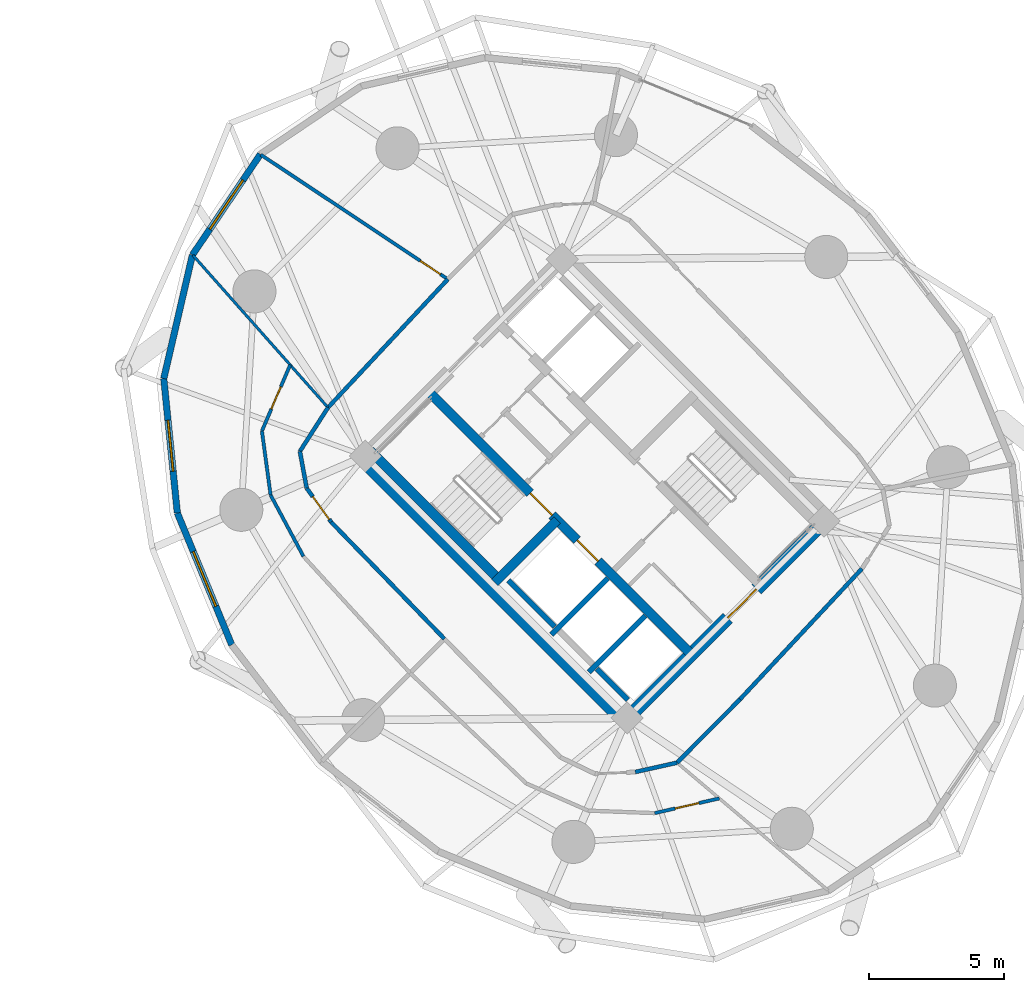
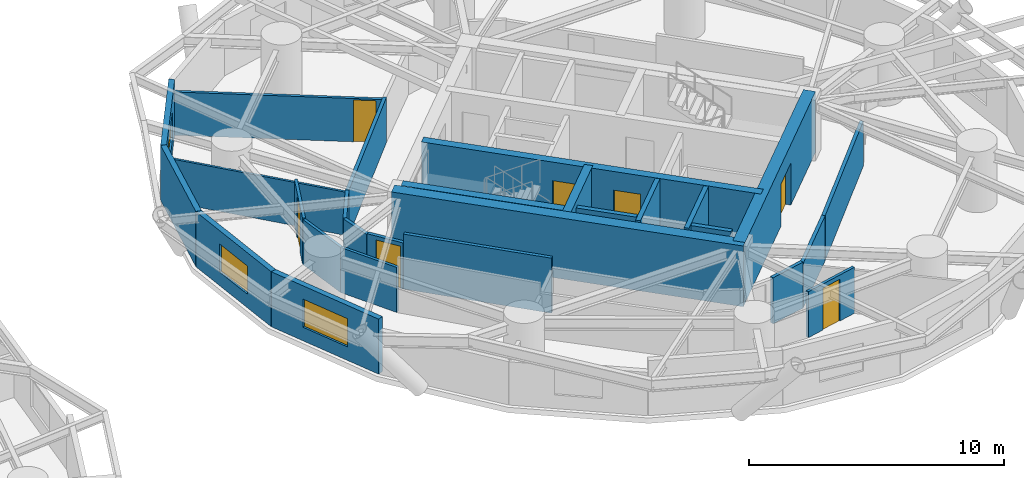
# One storey, part 12 of 17: 27 walls, 7 doors, 3 windows, 10 openings.
"""IFC4 building model written with IfcOpenShell, lengths in metres."""

import ifcopenshell
import ifcopenshell.guid

model = None  # the IFC model being written
_history = None  # IfcOwnerHistory: only IFC2X3 demands one
_inside = {}  # id of a spatial element -> (the spatial element, [elements in it])
_under = {}  # id of a project, library or spatial element -> (it, [spatial elements below it])
_declared = {}  # id of a project -> (the project, [libraries it declares])
_typed = {}  # id of a type object -> (the type object, [elements of that type])
_made_of = {}  # id of a material, layer set ... -> (it, [elements and type objects made of it])


def new_model(schema):
    """Start an empty IFC model of exactly this schema.

    Asked for "IFC4X3", IfcOpenShell would pick the latest addendum, in which some entities
    have other attributes; the version numbers below select the first issue.
    IFC2X3 requires an IfcOwnerHistory on every rooted entity: one is made here for all.
    """
    global model, _history
    if schema == "IFC4X3":
        model = ifcopenshell.file(schema_version=(4, 3, 0, 0))
    else:
        model = ifcopenshell.file(schema=schema)
    _inside.clear()
    _under.clear()
    _declared.clear()
    _typed.clear()
    _made_of.clear()
    _history = None
    if model.schema == "IFC2X3":
        org = make("IfcOrganization", Name="unknown")
        user = make(
            "IfcPersonAndOrganization",
            ThePerson=make("IfcPerson", FamilyName="unknown"),
            TheOrganization=org,
        )
        app = make(
            "IfcApplication",
            ApplicationDeveloper=org,
            Version="unknown",
            ApplicationFullName="unknown",
            ApplicationIdentifier="unknown",
        )
        _history = make(
            "IfcOwnerHistory",
            OwningUser=user,
            OwningApplication=app,
            ChangeAction="ADDED",
            CreationDate=0,
        )
    return model


def make(cls, **values):
    """One entity of the class cls with the attributes given. An attribute that is None is left unset."""
    return model.create_entity(
        cls, **{name: value for name, value in values.items() if value is not None}
    )


def rooted(cls, **values):
    """An entity with a GlobalId (a new one), such as an element, a storey or a relation."""
    return make(cls, GlobalId=ifcopenshell.guid.new(), OwnerHistory=_history, **values)


def si_unit(unit_type, name, prefix=None):
    """IfcSIUnit, for example si_unit("LENGTHUNIT", "METRE", prefix="MILLI")."""
    return make("IfcSIUnit", UnitType=unit_type, Prefix=prefix, Name=name)


def assignment(units):
    """IfcUnitAssignment: the units of a project."""
    return None if units is None else make("IfcUnitAssignment", Units=units)


def point(xyz):
    """IfcCartesianPoint."""
    return None if xyz is None else make("IfcCartesianPoint", Coordinates=xyz)


def direction(xyz):
    """IfcDirection."""
    return None if xyz is None else make("IfcDirection", DirectionRatios=xyz)


def frame(location, z_axis=None, x_axis=None):
    """IfcAxis2Placement3D, a coordinate frame: its origin and axes. An axis left out is left unset."""
    return make(
        "IfcAxis2Placement3D",
        Location=point(location),
        Axis=direction(z_axis),
        RefDirection=direction(x_axis),
    )


def frame_2d(location, x_axis=None):
    """IfcAxis2Placement2D, a coordinate frame in the plane: its origin and x axis."""
    return make(
        "IfcAxis2Placement2D", Location=point(location), RefDirection=direction(x_axis)
    )


def origin():
    """The frame at (0, 0, 0) with its axes left unset."""
    return frame((0.0, 0.0, 0.0))


def place(relative_to, where):
    """IfcLocalPlacement: puts the frame where relative to a parent placement (None: the world)."""
    return make(
        "IfcLocalPlacement", PlacementRelTo=relative_to, RelativePlacement=where
    )


def context(
    kind, dimensions, precision=None, world=None, true_north=None, identifier=None
):
    """IfcGeometricRepresentationContext, for example the 3D "Model" context."""
    return make(
        "IfcGeometricRepresentationContext",
        ContextIdentifier=identifier,
        ContextType=kind,
        CoordinateSpaceDimension=dimensions,
        Precision=precision,
        WorldCoordinateSystem=world,
        TrueNorth=true_north,
    )


def subcontext(parent, identifier, kind, view, scale=None):
    """IfcGeometricRepresentationSubContext, for example "Body" below "Model"."""
    return make(
        "IfcGeometricRepresentationSubContext",
        ContextIdentifier=identifier,
        ContextType=kind,
        ParentContext=parent,
        TargetScale=scale,
        TargetView=view,
    )


def project(units=None, contexts=None):
    """IfcProject with its units and contexts."""
    return rooted(
        "IfcProject",
        Name="project",
        RepresentationContexts=contexts,
        UnitsInContext=assignment(units),
    )


def spatial(cls, under=None, at=None, **own):
    """A site, building, storey or space (cls), placed at a placement, below another one or the project."""
    s = rooted(cls, ObjectPlacement=at, **own)
    if under is not None:
        _under.setdefault(under.id(), (under, []))[1].append(s)
    return s


def profile(cls, at=None, kind="AREA", **sizes):
    """A parametric profile (cls). Its sizes go by their IFC names, for example OverallWidth=200.0."""
    return make(cls, ProfileType=kind, Position=at, **sizes)


def rectangle(**sizes):
    """IfcRectangleProfileDef."""
    return profile("IfcRectangleProfileDef", **sizes)


def extrude(swept, where, along, depth):
    """IfcExtrudedAreaSolid: the profile swept, set in the frame where, extruded along a direction by depth."""
    return make(
        "IfcExtrudedAreaSolid",
        SweptArea=swept,
        Position=where,
        ExtrudedDirection=direction(along),
        Depth=depth,
    )


def shape(context_of_items, identifier, shape_type, items):
    """IfcShapeRepresentation: the items that make up one representation, for example the "Body"."""
    return make(
        "IfcShapeRepresentation",
        ContextOfItems=context_of_items,
        RepresentationIdentifier=identifier,
        RepresentationType=shape_type,
        Items=items,
    )


def source(mapping_origin, context_of_items, identifier, shape_type, items):
    """IfcRepresentationMap: a shape defined once, which mapped items show again and again."""
    return make(
        "IfcRepresentationMap",
        MappingOrigin=mapping_origin,
        MappedRepresentation=shape(context_of_items, identifier, shape_type, items),
    )


def transform(
    local_origin,
    x_axis=None,
    y_axis=None,
    z_axis=None,
    scale=None,
    scale2=None,
    scale3=None,
    uniform=True,
):
    """IfcCartesianTransformationOperator3D, or its non-uniform kind. x_axis, y_axis, z_axis: its Axis1, 2, 3."""
    if uniform:
        return make(
            "IfcCartesianTransformationOperator3D",
            Axis1=direction(x_axis),
            Axis2=direction(y_axis),
            LocalOrigin=point(local_origin),
            Scale=scale,
            Axis3=direction(z_axis),
        )
    return make(
        "IfcCartesianTransformationOperator3DnonUniform",
        Axis1=direction(x_axis),
        Axis2=direction(y_axis),
        LocalOrigin=point(local_origin),
        Scale=scale,
        Axis3=direction(z_axis),
        Scale2=scale2,
        Scale3=scale3,
    )


def mapped(mapping_source, mapping_target):
    """IfcMappedItem: shows the shape of a source again, moved by a transform."""
    return make(
        "IfcMappedItem", MappingSource=mapping_source, MappingTarget=mapping_target
    )


def material(Name=None, Category=None):
    """IfcMaterial."""
    return make("IfcMaterial", Name=Name, Category=Category)


def layer(
    of_material, thickness, ventilated=None, Name=None, Category=None, Priority=None
):
    """IfcMaterialLayer: one layer of a wall or slab, of a material (None: an air gap)."""
    return make(
        "IfcMaterialLayer",
        Material=of_material,
        LayerThickness=thickness,
        IsVentilated=ventilated,
        Name=Name,
        Category=Category,
        Priority=Priority,
    )


def layer_set(layers, Name=None):
    """IfcMaterialLayerSet."""
    return make("IfcMaterialLayerSet", MaterialLayers=layers, LayerSetName=Name)


def made_of(thing, what):
    """Note that an element or type object is made of a material, layer set ...; save() writes the relation."""
    if what is not None:
        _made_of.setdefault(what.id(), (what, []))[1].append(thing)
    return thing


def type_object(cls, material=None, **own):
    """A type object (cls), such as IfcWallType, which elements share."""
    return made_of(rooted(cls, **own), material)


def element(
    cls,
    number,
    at=None,
    inside=None,
    cuts=None,
    type_object=None,
    material=None,
    context=None,
    identifier="Body",
    shape_type=None,
    held_by="IfcProductDefinitionShape",
    body=None,
    shapes=None,
    **own,
):
    """One element of the class cls, such as IfcWall. Its Tag is "e" and its number.

    at: its placement. inside: the storey or other place that contains it. cuts: it is an
    opening in that element (IfcRelVoidsElement). A single representation is given by context,
    identifier, shape_type and body (its items); several are given by shapes. held_by: the class
    of the entity that holds the representations. save() writes the other relations.
    """
    e = rooted(cls, Tag="e%d" % number, ObjectPlacement=at, **own)
    if body is not None:
        shapes = [shape(context, identifier, shape_type, body)]
    if shapes is not None:
        e.Representation = make(held_by, Representations=shapes)
    if inside is not None:
        _inside.setdefault(inside.id(), (inside, []))[1].append(e)
    if cuts is not None:
        rooted(
            "IfcRelVoidsElement", RelatingBuildingElement=cuts, RelatedOpeningElement=e
        )
    if type_object is not None:
        _typed.setdefault(type_object.id(), (type_object, []))[1].append(e)
    return made_of(e, material)


def fill(opening, filler):
    """IfcRelFillsElement: the door or window that sits in an opening."""
    return rooted(
        "IfcRelFillsElement",
        RelatingOpeningElement=opening,
        RelatedBuildingElement=filler,
    )


def aggregate(whole, parts):
    """IfcRelAggregates: a whole, such as a stair, and the parts it consists of."""
    return rooted("IfcRelAggregates", RelatingObject=whole, RelatedObjects=parts)


def save(model, path):
    """Write the relations noted so far, then the file.

    IfcRelAggregates (storeys below a building ...), IfcRelContainedInSpatialStructure (elements
    in a storey), IfcRelDefinesByType, IfcRelAssociatesMaterial and IfcRelDeclares: one each for
    every whole, place, type object, material and project.
    """
    for whole, parts in _under.values():
        aggregate(whole, parts)
    for where, things in _inside.values():
        rooted(
            "IfcRelContainedInSpatialStructure",
            RelatedElements=things,
            RelatingStructure=where,
        )
    for kind, things in _typed.values():
        rooted("IfcRelDefinesByType", RelatedObjects=things, RelatingType=kind)
    for what, things in _made_of.values():
        rooted("IfcRelAssociatesMaterial", RelatedObjects=things, RelatingMaterial=what)
    for by, libraries in _declared.values():
        rooted("IfcRelDeclares", RelatingContext=by, RelatedDefinitions=libraries)
    model.write(path)


model = new_model("IFC4")

# Units and contexts
model_context = context("Model", 3, precision=1e-05, world=origin(), true_north=direction((0.0, 1.0)))
body_context = subcontext(model_context, "Body", "Model", "MODEL_VIEW")
ifc_project = project(units=[si_unit("LENGTHUNIT", "METRE"), si_unit("AREAUNIT", "SQUARE_METRE"), si_unit("VOLUMEUNIT", "CUBIC_METRE"), si_unit("PLANEANGLEUNIT", "RADIAN"), si_unit("MASSUNIT", "GRAM", prefix="KILO")], contexts=[model_context])

# Site, building, storey
site_placement = place(None, origin())
site = spatial("IfcSite", under=ifc_project, at=site_placement, CompositionType="ELEMENT")
building_placement = place(site_placement, origin())
building = spatial("IfcBuilding", under=site, at=building_placement, Name="Cununo Teusaquillo Station Towers", CompositionType="ELEMENT")
storey_placement = place(building_placement, frame((0.0, 0.0, 27.820068359375)))
storey = spatial("IfcBuildingStorey", under=building, at=storey_placement, Name="L07", CompositionType="ELEMENT", Elevation=27.820068359375)

# Walls
ifc_material_1 = material(Name="Concrete C50/60", Category="concrete")
ifc_layer_1 = layer(ifc_material_1, 0.199951171875)
ifc_layer_set_1 = layer_set([ifc_layer_1], Name="Concrete C50/60")
wall_type_1 = type_object("IfcWallType", Name="WL-CORE-200", PredefinedType="SHEAR", material=ifc_layer_set_1)
wall_1_placement = place(storey_placement, frame((55.8876953125, 19.0693359375, 0.0), z_axis=(0.0, 0.0, 1.0), x_axis=(0.707106781187, 0.707106781187, 0.0)))
element("IfcWall", 1, at=wall_1_placement, inside=storey, type_object=wall_type_1, Name="L07 Tower B Firefighting Lift Shaft South Shear Wall", PredefinedType="SHEAR", context=body_context, shape_type="SweptSolid", body=[
    extrude(rectangle(XDim=2.969970703125, YDim=0.199951171875, at=frame_2d((1.48486328125, 0.0))), origin(), (0.0, 0.0, 1.0), 2.909912109375),
])
wall_2_placement = place(storey_placement, frame((56.01513671875, 19.366455078125, 0.0), z_axis=(0.0, 0.0, 1.0), x_axis=(-0.707106781187, 0.707106781187, 0.0)))
element("IfcWall", 2, at=wall_2_placement, inside=storey, type_object=wall_type_1, Name="L07 Tower B Firefighting Lift Shaft Rear Shear Wall", PredefinedType="SHEAR", context=body_context, shape_type="SweptSolid", body=[
    extrude(rectangle(XDim=2.43994140625, YDim=0.199951171875, at=frame_2d((1.219970703125, 0.0))), origin(), (0.0, 0.0, 1.0), 2.909912109375),
])
wall_3_placement = place(storey_placement, frame((57.2841796875, 17.6728515625, 0.0), z_axis=(0.0, 0.0, 1.0), x_axis=(0.707147878904, 0.70706568108, 0.0)))
element("IfcWall", 3, at=wall_3_placement, inside=storey, type_object=wall_type_1, Name="L07 Tower B High-Rise Lift Hoistway Divider Shear Wall", PredefinedType="SHEAR", context=body_context, shape_type="SweptSolid", body=[
    extrude(rectangle(XDim=2.97021484375, YDim=0.199951171875, at=frame_2d((1.485107421875, 0.0))), origin(), (0.0, 0.0, 1.0), 2.909912109375),
])
wall_4_placement = place(storey_placement, frame((58.7373046875, 16.64404296875, 0.0), z_axis=(0.0, 0.0, 1.0), x_axis=(-0.707032117043, 0.707181437447, 0.0)))
element("IfcWall", 4, at=wall_4_placement, inside=storey, type_object=wall_type_1, Name="L07 Tower B High-Rise Lift 1 Shaft Rear Shear Wall", PredefinedType="SHEAR", context=body_context, shape_type="SweptSolid", body=[
    extrude(rectangle(XDim=1.635009765625, YDim=0.199951171875, at=frame_2d((0.8173828125, 0.0))), origin(), (0.0, 0.0, 1.0), 2.909912109375),
])

# Wall, openings, doors
ifc_material_2 = material(Name="Concrete C50/60", Category="concrete")
ifc_layer_2 = layer(ifc_material_2, 0.35009765625)
ifc_layer_set_2 = layer_set([ifc_layer_2], Name="Concrete C50/60")
wall_type_2 = type_object("IfcWallType", Name="WL-CORE-350", PredefinedType="SHEAR", material=ifc_layer_set_2)
wall_5_placement = place(storey_placement, frame((61.095703125, 18.337646484375, 0.0), z_axis=(0.0, 0.0, 1.0), x_axis=(-0.707106781187, 0.707106781187, 0.0)))
wall_5 = element("IfcWall", 5, at=wall_5_placement, inside=storey, type_object=wall_type_2, Name="L07 Tower B Core Shear Wall IW", PredefinedType="SHEAR", context=body_context, shape_type="SweptSolid", body=[
    extrude(rectangle(XDim=13.800048828125, YDim=0.35009765625, at=frame_2d((6.89990234375, 0.0))), origin(), (0.0, 0.0, 1.0), 2.909912109375),
])
shared_shape_1 = source(origin(), body_context, "Body", "SweptSolid", [
    extrude(rectangle(XDim=1.10009765625, YDim=2.014892578125, at=frame_2d((0.550048828125, 1.00732421875))), frame((0.0, 0.18505859375, 0.0), z_axis=(0.0, -1.0, 0.0), x_axis=(1.0, 0.0, 0.0)), (0.0, 0.0, 1.0), 0.3701171875),
])
opening_1_placement = place(wall_5_placement, frame((4.89990234375, 0.0, 0.0)))
opening_1 = element("IfcOpeningElement", 6, at=opening_1_placement, cuts=wall_5, Name="Opening LD-01", PredefinedType="OPENING", context=body_context, shape_type="MappedRepresentation", body=[
    mapped(shared_shape_1, transform((0.0, 0.0, 0.0), x_axis=(1.0, 0.0, 0.0), y_axis=(0.0, 1.0, 0.0), z_axis=(0.0, 0.0, 1.0), scale=1.0)),
])
shared_shape_2 = source(origin(), body_context, "Body", "SweptSolid", [
    extrude(rectangle(XDim=1.14990234375, YDim=2.02001953125, at=frame_2d((0.574951171875, 1.010009765625))), frame((0.0, 0.18505859375, 0.0), z_axis=(0.0, -1.0, 0.0), x_axis=(1.0, 0.0, 0.0)), (0.0, 0.0, 1.0), 0.3701171875),
])
opening_2_placement = place(wall_5_placement, frame((7.320068359375, 0.0, 0.0)))
opening_2 = element("IfcOpeningElement", 7, at=opening_2_placement, cuts=wall_5, Name="Opening D-ST1", PredefinedType="OPENING", context=body_context, shape_type="MappedRepresentation", body=[
    mapped(shared_shape_2, transform((0.0, 0.0, 0.0), x_axis=(1.0, 0.0, 0.0), y_axis=(0.0, 1.0, 0.0), z_axis=(0.0, 0.0, 1.0), scale=1.0)),
])
ifc_material_3 = material(Name="Galvanised fire-rated hollow steel door assembly", Category="steel")
door_type_1 = type_object("IfcDoorType", Name="DR-LIFT-1100", OperationType="SLIDING_TO_LEFT", PredefinedType="DOOR", material=ifc_material_3)
shared_shape_3 = source(origin(), body_context, "Body", "SweptSolid", [
    extrude(rectangle(XDim=1.10009765625, YDim=2.014892578125, at=frame_2d((0.550048828125, 1.00732421875))), frame((0.0, 0.02490234375, 0.0), z_axis=(0.0, -1.0, 0.0), x_axis=(1.0, 0.0, 0.0)), (0.0, 0.0, 1.0), 0.050048828125),
])
door_1_placement = place(opening_1_placement, origin())
door_1 = element("IfcDoor", 8, at=door_1_placement, inside=storey, type_object=door_type_1, Name="L07 Lift FL-T2 Sliding Landing Door", OperationType="SLIDING_TO_LEFT", OverallHeight=2.014892578125, OverallWidth=1.10009765625, PredefinedType="DOOR", context=body_context, shape_type="MappedRepresentation", body=[
    mapped(shared_shape_3, transform((0.0, 0.0, 0.0), x_axis=(1.0, 0.0, 0.0), y_axis=(0.0, 1.0, 0.0), z_axis=(0.0, 0.0, 1.0), scale=1.0)),
])
fill(opening_1, door_1)
ifc_material_4 = material(Name="Galvanised fire-rated hollow steel door assembly", Category="steel")
door_type_2 = type_object("IfcDoorType", Name="DR-STAIR-1150", OperationType="NOTDEFINED", PredefinedType="DOOR", material=ifc_material_4)
shared_shape_4 = source(origin(), body_context, "Body", "SweptSolid", [
    extrude(rectangle(XDim=1.14990234375, YDim=2.02001953125, at=frame_2d((0.574951171875, 1.010009765625))), frame((0.0, 0.02490234375, 0.0), z_axis=(0.0, -1.0, 0.0), x_axis=(1.0, 0.0, 0.0)), (0.0, 0.0, 1.0), 0.050048828125),
])
door_2_placement = place(opening_2_placement, origin())
door_2 = element("IfcDoor", 9, at=door_2_placement, inside=storey, type_object=door_type_2, Name="L07 Tower B Exit Stair 1 Fire Door", OperationType="SINGLE_SWING_LEFT", OverallHeight=2.02001953125, OverallWidth=1.14990234375, PredefinedType="DOOR", context=body_context, shape_type="MappedRepresentation", body=[
    mapped(shared_shape_4, transform((0.0, 0.0, 0.0), x_axis=(1.0, 0.0, 0.0), y_axis=(0.0, 1.0, 0.0), z_axis=(0.0, 0.0, 1.0), scale=1.0)),
])
fill(opening_2, door_2)

# Walls
wall_6_placement = place(storey_placement, frame((53.922119140625, 21.14111328125, 0.0), z_axis=(0.0, 0.0, 1.0), x_axis=(-0.707106781187, 0.707106781187, 0.0)))
element("IfcWall", 10, at=wall_6_placement, inside=storey, type_object=wall_type_2, Name="L07 Tower B Core Shear Wall ST1W", PredefinedType="SHEAR", context=body_context, shape_type="SweptSolid", body=[
    extrude(rectangle(XDim=6.7451171875, YDim=0.35009765625, at=frame_2d((3.37255859375, 0.0))), origin(), (0.0, 0.0, 1.0), 2.909912109375),
])
wall_7_placement = place(storey_placement, frame((53.7841796875, 21.00341796875, 0.0), z_axis=(0.0, 0.0, 1.0), x_axis=(0.707106781187, 0.707106781187, 0.0)))
element("IfcWall", 11, at=wall_7_placement, inside=storey, type_object=wall_type_2, Name="L07 Tower B Core Shear Wall ST1S", PredefinedType="SHEAR", context=body_context, shape_type="SweptSolid", body=[
    extrude(rectangle(XDim=3.284912109375, YDim=0.35009765625, at=frame_2d((1.642578125, 0.0))), origin(), (0.0, 0.0, 1.0), 2.909912109375),
])
ifc_material_5 = material(Name="Concrete C60/75", Category="concrete")
ifc_layer_3 = layer(ifc_material_5, 0.5)
ifc_layer_set_3 = layer_set([ifc_layer_3], Name="Concrete C60/75")
wall_type_3 = type_object("IfcWallType", Name="WL-CORE-500", PredefinedType="SHEAR", material=ifc_layer_set_3)
wall_8_placement = place(storey_placement, frame((58.772705078125, 15.6611328125, 0.0), z_axis=(0.0, 0.0, 1.0), x_axis=(-0.707106781187, 0.707106781187, 0.0)))
element("IfcWall", 12, at=wall_8_placement, inside=storey, type_object=wall_type_3, Name="L07 Tower B Core Shear Wall W", PredefinedType="SHEAR", context=body_context, shape_type="SweptSolid", body=[
    extrude(rectangle(XDim=14.2998046875, YDim=0.5, at=frame_2d((7.14990234375, 0.0))), origin(), (0.0, 0.0, 1.0), 2.909912109375),
])

# Wall, opening, door
wall_9_placement = place(storey_placement, frame((58.595947265625, 15.837890625, 0.0), z_axis=(0.0, 0.0, 1.0), x_axis=(0.707106781187, 0.707106781187, 0.0)))
wall_9 = element("IfcWall", 13, at=wall_9_placement, inside=storey, type_object=wall_type_3, Name="L07 Tower B Core Shear Wall S", PredefinedType="SHEAR", context=body_context, shape_type="SweptSolid", body=[
    extrude(rectangle(XDim=10.7001953125, YDim=0.5, at=frame_2d((5.35009765625, 0.0))), origin(), (0.0, 0.0, 1.0), 2.909912109375),
])
shared_shape_5 = source(origin(), body_context, "Body", "SweptSolid", [
    extrude(rectangle(XDim=1.5, YDim=2.02001953125, at=frame_2d((0.75, 1.010009765625))), frame((0.0, 0.260009765625, 0.0), z_axis=(0.0, -1.0, 0.0), x_axis=(1.0, 0.0, 0.0)), (0.0, 0.0, 1.0), 0.52001953125),
])
opening_3_placement = place(wall_9_placement, frame((5.449951171875, 0.0, 0.0)))
opening_3 = element("IfcOpeningElement", 14, at=opening_3_placement, cuts=wall_9, Name="Opening D-LB1", PredefinedType="OPENING", context=body_context, shape_type="MappedRepresentation", body=[
    mapped(shared_shape_5, transform((0.0, 0.0, 0.0), x_axis=(1.0, 0.0, 0.0), y_axis=(0.0, 1.0, 0.0), z_axis=(0.0, 0.0, 1.0), scale=1.0)),
])
ifc_material_6 = material(Name="Galvanised fire-rated hollow steel door assembly", Category="steel")
door_type_3 = type_object("IfcDoorType", Name="DR-LOBBY-1500", OperationType="DOUBLE_DOOR_SINGLE_SWING", PredefinedType="DOOR", material=ifc_material_6)
shared_shape_6 = source(origin(), body_context, "Body", "SweptSolid", [
    extrude(rectangle(XDim=1.5, YDim=2.02001953125, at=frame_2d((0.75, 1.010009765625))), frame((0.0, 0.02490234375, 0.0), z_axis=(0.0, -1.0, 0.0), x_axis=(1.0, 0.0, 0.0)), (0.0, 0.0, 1.0), 0.050048828125),
])
door_3_placement = place(opening_3_placement, origin())
door_3 = element("IfcDoor", 15, at=door_3_placement, inside=storey, type_object=door_type_3, Name="L07 Tower B South Core Lift Lobby Door", OperationType="DOUBLE_DOOR_SINGLE_SWING", OverallHeight=2.02001953125, OverallWidth=1.5, PredefinedType="DOOR", context=body_context, shape_type="MappedRepresentation", body=[
    mapped(shared_shape_6, transform((0.0, 0.0, 0.0), x_axis=(1.0, 0.0, 0.0), y_axis=(0.0, 1.0, 0.0), z_axis=(0.0, 0.0, 1.0), scale=1.0)),
])
fill(opening_3, door_3)

# Wall, opening, window
ifc_material_7 = material(Name="Precast concrete C40/50", Category="concrete")
ifc_layer_4 = layer(ifc_material_7, 0.239990234375)
ifc_layer_set_4 = layer_set([ifc_layer_4], Name="Precast concrete C40/50")
wall_type_4 = type_object("IfcWallType", Name="WL-EXT-240", PredefinedType="SOLIDWALL", material=ifc_layer_set_4)
wall_10_placement = place(storey_placement, frame((42.54833984375, 33.179931640625, 0.0), z_axis=(0.0, 0.0, 1.0), x_axis=(0.559579594012, 0.828776615238, 0.0)))
wall_10 = element("IfcWall", 16, at=wall_10_placement, inside=storey, type_object=wall_type_4, Name="L07 Tower B Exterior Facade Wall C05", PredefinedType="SOLIDWALL", context=body_context, shape_type="SweptSolid", body=[
    extrude(rectangle(XDim=4.517333984375, YDim=0.239990234375, at=frame_2d((2.2587890625, 0.0))), origin(), (0.0, 0.0, 1.0), 2.635009765625),
])
shared_shape_7 = source(origin(), body_context, "Body", "SweptSolid", [
    extrude(rectangle(XDim=2.199951171875, YDim=1.35009765625, at=frame_2d((1.10009765625, 0.675048828125))), frame((0.0, 0.1298828125, 0.0), z_axis=(0.0, -1.0, 0.0), x_axis=(1.0, 0.0, 0.0)), (0.0, 0.0, 1.0), 0.260009765625),
])
opening_4_placement = place(wall_10_placement, frame((1.158935546875, 0.0, 0.64990234375)))
opening_4 = element("IfcOpeningElement", 17, at=opening_4_placement, cuts=wall_10, Name="Opening WN-01", PredefinedType="OPENING", context=body_context, shape_type="MappedRepresentation", body=[
    mapped(shared_shape_7, transform((0.0, 0.0, 0.0), x_axis=(1.0, 0.0, 0.0), y_axis=(0.0, 1.0, 0.0), z_axis=(0.0, 0.0, 1.0), scale=1.0)),
])
ifc_material_8 = material(Name="Ceramic-fritted dark low-E double glazing", Category="glass")
window_type_1 = type_object("IfcWindowType", Name="WIN-FRIT-2200", PartitioningType="DOUBLE_PANEL_VERTICAL", PredefinedType="WINDOW", material=ifc_material_8)
shared_shape_8 = source(origin(), body_context, "Body", "SweptSolid", [
    extrude(rectangle(XDim=2.199951171875, YDim=1.35009765625, at=frame_2d((1.10009765625, 0.675048828125))), frame((0.0, 0.030029296875, 0.0), z_axis=(0.0, -1.0, 0.0), x_axis=(1.0, 0.0, 0.0)), (0.0, 0.0, 1.0), 0.06005859375),
])
window_1_placement = place(opening_4_placement, origin())
window_1 = element("IfcWindow", 18, at=window_1_placement, inside=storey, type_object=window_type_1, Name="L07 Tower B Facade Window C05", OverallHeight=1.35009765625, OverallWidth=2.199951171875, PartitioningType="DOUBLE_PANEL_VERTICAL", PredefinedType="WINDOW", context=body_context, shape_type="MappedRepresentation", body=[
    mapped(shared_shape_8, transform((0.0, 0.0, 0.0), x_axis=(1.0, 0.0, 0.0), y_axis=(0.0, 1.0, 0.0), z_axis=(0.0, 0.0, 1.0), scale=1.0)),
])
fill(opening_4, window_1)

# Wall
wall_11_placement = place(storey_placement, frame((41.484130859375, 28.58642578125, 0.0), z_axis=(0.0, 0.0, 1.0), x_axis=(0.225698919833, 0.974197104074, 0.0)))
element("IfcWall", 19, at=wall_11_placement, inside=storey, type_object=wall_type_4, Name="L07 Tower B Exterior Facade Wall C06", PredefinedType="SOLIDWALL", context=body_context, shape_type="SweptSolid", body=[
    extrude(rectangle(XDim=4.715087890625, YDim=0.239990234375, at=frame_2d((2.357421875, 0.0))), origin(), (0.0, 0.0, 1.0), 2.635009765625),
])

# Wall, opening, window
wall_12_placement = place(storey_placement, frame((41.98779296875, 23.593017578125, 0.0), z_axis=(0.0, 0.0, 1.0), x_axis=(-0.100356187272, 0.994951574538, 0.0)))
wall_12 = element("IfcWall", 20, at=wall_12_placement, inside=storey, type_object=wall_type_4, Name="L07 Tower B Exterior Facade Wall C07", PredefinedType="SOLIDWALL", context=body_context, shape_type="SweptSolid", body=[
    extrude(rectangle(XDim=5.018798828125, YDim=0.239990234375, at=frame_2d((2.50927734375, 0.0))), origin(), (0.0, 0.0, 1.0), 2.635009765625),
])
shared_shape_9 = source(origin(), body_context, "Body", "SweptSolid", [
    extrude(rectangle(XDim=1.89990234375, YDim=1.35009765625, at=frame_2d((0.949951171875, 0.675048828125))), frame((0.0, 0.1298828125, 0.0), z_axis=(0.0, -1.0, 0.0), x_axis=(1.0, 0.0, 0.0)), (0.0, 0.0, 1.0), 0.260009765625),
])
opening_5_placement = place(wall_12_placement, frame((1.55908203125, 0.0, 0.64990234375)))
opening_5 = element("IfcOpeningElement", 21, at=opening_5_placement, cuts=wall_12, Name="Opening WN-02", PredefinedType="OPENING", context=body_context, shape_type="MappedRepresentation", body=[
    mapped(shared_shape_9, transform((0.0, 0.0, 0.0), x_axis=(1.0, 0.0, 0.0), y_axis=(0.0, 1.0, 0.0), z_axis=(0.0, 0.0, 1.0), scale=1.0)),
])
ifc_material_9 = material(Name="Operable acoustic tinted low-E double glazing", Category="glass")
window_type_2 = type_object("IfcWindowType", Name="WIN-OPER-1900", PartitioningType="DOUBLE_PANEL_VERTICAL", PredefinedType="WINDOW", material=ifc_material_9)
shared_shape_10 = source(origin(), body_context, "Body", "SweptSolid", [
    extrude(rectangle(XDim=1.89990234375, YDim=1.35009765625, at=frame_2d((0.949951171875, 0.675048828125))), frame((0.0, 0.030029296875, 0.0), z_axis=(0.0, -1.0, 0.0), x_axis=(1.0, 0.0, 0.0)), (0.0, 0.0, 1.0), 0.06005859375),
])
window_2_placement = place(opening_5_placement, origin())
window_2 = element("IfcWindow", 22, at=window_2_placement, inside=storey, type_object=window_type_2, Name="L07 Tower B Facade Window C07", OverallHeight=1.35009765625, OverallWidth=1.89990234375, PartitioningType="DOUBLE_PANEL_VERTICAL", PredefinedType="WINDOW", context=body_context, shape_type="MappedRepresentation", body=[
    mapped(shared_shape_10, transform((0.0, 0.0, 0.0), x_axis=(1.0, 0.0, 0.0), y_axis=(0.0, 1.0, 0.0), z_axis=(0.0, 0.0, 1.0), scale=1.0)),
])
fill(opening_5, window_2)

wall_13_placement = place(storey_placement, frame((44.009765625, 18.68798828125, 0.0), z_axis=(0.0, 0.0, 1.0), x_axis=(-0.381113147118, 0.924528403616, 0.0)))
wall_13 = element("IfcWall", 23, at=wall_13_placement, inside=storey, type_object=wall_type_4, Name="L07 Tower B Exterior Facade Wall C08", PredefinedType="SOLIDWALL", context=body_context, shape_type="SweptSolid", body=[
    extrude(rectangle(XDim=5.305419921875, YDim=0.239990234375, at=frame_2d((2.65283203125, 0.0))), origin(), (0.0, 0.0, 1.0), 2.635009765625),
])
opening_6_placement = place(wall_13_placement, frame((1.552978515625, 0.0, 0.64990234375)))
opening_6 = element("IfcOpeningElement", 24, at=opening_6_placement, cuts=wall_13, Name="Opening WN-01", PredefinedType="OPENING", context=body_context, shape_type="MappedRepresentation", body=[
    mapped(shared_shape_7, transform((0.0, 0.0, 0.0), x_axis=(1.0, 0.0, 0.0), y_axis=(0.0, 1.0, 0.0), z_axis=(0.0, 0.0, 1.0), scale=1.0)),
])
window_3_placement = place(opening_6_placement, origin())
window_3 = element("IfcWindow", 25, at=window_3_placement, inside=storey, type_object=window_type_1, Name="L07 Tower B Facade Window C08", OverallHeight=1.35009765625, OverallWidth=2.199951171875, PartitioningType="DOUBLE_PANEL_VERTICAL", PredefinedType="WINDOW", context=body_context, shape_type="MappedRepresentation", body=[
    mapped(shared_shape_8, transform((0.0, 0.0, 0.0), x_axis=(1.0, 0.0, 0.0), y_axis=(0.0, 1.0, 0.0), z_axis=(0.0, 0.0, 1.0), scale=1.0)),
])
fill(opening_6, window_3)

# Wall
ifc_material_10 = material(Name="Fire-rated gypsum plasterboard partition assembly", Category="gypsum")
ifc_layer_5 = layer(ifc_material_10, 0.10009765625)
ifc_layer_set_5 = layer_set([ifc_layer_5], Name="Fire-rated gypsum plasterboard partition assembly")
wall_type_5 = type_object("IfcWallType", Name="WL-PART-100", PredefinedType="MOVABLE", material=ifc_layer_set_5)
wall_14_placement = place(storey_placement, frame((47.58837890625, 27.51025390625, 0.0), z_axis=(0.0, 0.0, 1.0), x_axis=(-0.663646630644, 0.74804622159, 0.0)))
element("IfcWall", 26, at=wall_14_placement, inside=storey, type_object=wall_type_5, Name="L07 Tower B Radial Suite Partition R02", PredefinedType="MOVABLE", context=body_context, shape_type="SweptSolid", body=[
    extrude(rectangle(XDim=7.567138671875, YDim=0.10009765625, at=frame_2d((3.78369140625, 0.0))), origin(), (0.0, 0.0, 1.0), 2.072998046875),
])

# Wall, opening, door
ifc_material_11 = material(Name="Fire-rated gypsum plasterboard partition assembly", Category="gypsum")
ifc_layer_6 = layer(ifc_material_11, 0.125)
ifc_layer_set_6 = layer_set([ifc_layer_6], Name="Fire-rated gypsum plasterboard partition assembly")
wall_type_6 = type_object("IfcWallType", Name="WL-PART-125", PredefinedType="PARTITIONING", material=ifc_layer_set_6)
wall_15_placement = place(storey_placement, frame((52.04345703125, 32.27978515625, 0.0), z_axis=(0.0, 0.0, 1.0), x_axis=(-0.832355916658, 0.554241488887, 0.0)))
wall_15 = element("IfcWall", 27, at=wall_15_placement, inside=storey, type_object=wall_type_6, Name="L07 Tower B Simultaneous Interpretation Hall Suite Subdividing Wall", PredefinedType="PARTITIONING", context=body_context, shape_type="SweptSolid", body=[
    extrude(rectangle(XDim=8.353515625, YDim=0.125, at=frame_2d((4.1767578125, 0.0))), origin(), (0.0, 0.0, 1.0), 2.072998046875),
])
shared_shape_11 = source(origin(), body_context, "Body", "SweptSolid", [
    extrude(rectangle(XDim=0.89990234375, YDim=2.0048828125, at=frame_2d((0.449951171875, 1.00244140625))), frame((0.0, 0.072509765625, 0.0), z_axis=(0.0, -1.0, 0.0), x_axis=(1.0, 0.0, 0.0)), (0.0, 0.0, 1.0), 0.14501953125),
])
opening_7_placement = place(wall_15_placement, frame((0.330078125, 0.0, 0.0)))
opening_7 = element("IfcOpeningElement", 28, at=opening_7_placement, cuts=wall_15, Name="Opening D-IN1", PredefinedType="OPENING", context=body_context, shape_type="MappedRepresentation", body=[
    mapped(shared_shape_11, transform((0.0, 0.0, 0.0), x_axis=(1.0, 0.0, 0.0), y_axis=(0.0, 1.0, 0.0), z_axis=(0.0, 0.0, 1.0), scale=1.0)),
])
ifc_material_12 = material(Name="Acoustic solid-core hardwood leaf assembly", Category="wood")
door_type_4 = type_object("IfcDoorType", Name="DR-INT-900", OperationType="NOTDEFINED", PredefinedType="DOOR", material=ifc_material_12)
shared_shape_12 = source(origin(), body_context, "Body", "SweptSolid", [
    extrude(rectangle(XDim=0.89990234375, YDim=2.0048828125, at=frame_2d((0.449951171875, 1.00244140625))), frame((0.0, 0.02490234375, 0.0), z_axis=(0.0, -1.0, 0.0), x_axis=(1.0, 0.0, 0.0)), (0.0, 0.0, 1.0), 0.050048828125),
])
door_4_placement = place(opening_7_placement, origin())
door_4 = element("IfcDoor", 29, at=door_4_placement, inside=storey, type_object=door_type_4, Name="L07 Tower B Simultaneous Interpretation Hall Suite Connecting Door", OperationType="SINGLE_SWING_LEFT", OverallHeight=2.0048828125, OverallWidth=0.89990234375, PredefinedType="DOOR", context=body_context, shape_type="MappedRepresentation", body=[
    mapped(shared_shape_12, transform((0.0, 0.0, 0.0), x_axis=(1.0, 0.0, 0.0), y_axis=(0.0, 1.0, 0.0), z_axis=(0.0, 0.0, 1.0), scale=1.0)),
])
fill(opening_7, door_4)

wall_16_placement = place(storey_placement, frame((46.18212890625, 29.09521484375, 0.0), z_axis=(0.0, 0.0, 1.0), x_axis=(-0.39298176502, -0.919546264394, 0.0)))
wall_16 = element("IfcWall", 30, at=wall_16_placement, inside=storey, type_object=wall_type_6, Name="L07 Tower B Press & Broadcast Briefing Hall Concentric Partition Wall C06", PredefinedType="PARTITIONING", context=body_context, shape_type="SweptSolid", body=[
    extrude(rectangle(XDim=2.672119140625, YDim=0.125, at=frame_2d((1.3359375, 0.0))), origin(), (0.0, 0.0, 1.0), 2.204833984375),
])
opening_8_placement = place(wall_16_placement, frame((0.885986328125, 0.0, 0.0)))
opening_8 = element("IfcOpeningElement", 31, at=opening_8_placement, cuts=wall_16, Name="Opening D-IN1", PredefinedType="OPENING", context=body_context, shape_type="MappedRepresentation", body=[
    mapped(shared_shape_11, transform((0.0, 0.0, 0.0), x_axis=(1.0, 0.0, 0.0), y_axis=(0.0, 1.0, 0.0), z_axis=(0.0, 0.0, 1.0), scale=1.0)),
])
door_5_placement = place(opening_8_placement, origin())
door_5 = element("IfcDoor", 32, at=door_5_placement, inside=storey, type_object=door_type_4, Name="L07 Tower B Press & Broadcast Briefing Hall Connecting Door", OperationType="SINGLE_SWING_LEFT", OverallHeight=2.0048828125, OverallWidth=0.89990234375, PredefinedType="DOOR", context=body_context, shape_type="MappedRepresentation", body=[
    mapped(shared_shape_12, transform((0.0, 0.0, 0.0), x_axis=(1.0, 0.0, 0.0), y_axis=(0.0, 1.0, 0.0), z_axis=(0.0, 0.0, 1.0), scale=1.0)),
])
fill(opening_8, door_5)

# Walls
wall_17_placement = place(storey_placement, frame((45.132080078125, 26.63818359375, 0.0), z_axis=(0.0, 0.0, 1.0), x_axis=(0.134279147929, -0.990943545532, 0.0)))
element("IfcWall", 33, at=wall_17_placement, inside=storey, type_object=wall_type_6, Name="L07 Tower B Press & Broadcast Briefing Hall Concentric Partition Wall C07", PredefinedType="PARTITIONING", context=body_context, shape_type="SweptSolid", body=[
    extrude(rectangle(XDim=2.403564453125, YDim=0.125, at=frame_2d((1.20166015625, 0.0))), origin(), (0.0, 0.0, 1.0), 2.158935546875),
])
wall_18_placement = place(storey_placement, frame((45.454833984375, 24.25634765625, 0.0), z_axis=(0.0, 0.0, 1.0), x_axis=(0.472268582458, -0.881454698792, 0.0)))
element("IfcWall", 34, at=wall_18_placement, inside=storey, type_object=wall_type_6, Name="L07 Tower B Press & Broadcast Briefing Hall Concentric Partition Wall C08", PredefinedType="PARTITIONING", context=body_context, shape_type="SweptSolid", body=[
    extrude(rectangle(XDim=2.585205078125, YDim=0.125, at=frame_2d((1.29248046875, 0.0))), origin(), (0.0, 0.0, 1.0), 2.158935546875),
])

# Wall, opening, door
wall_19_placement = place(storey_placement, frame((59.72900390625, 12.434326171875, 0.0), z_axis=(0.0, 0.0, 1.0), x_axis=(0.975062765266, 0.221929276555, 0.0)))
wall_19 = element("IfcWall", 35, at=wall_19_placement, inside=storey, type_object=wall_type_6, Name="L07 Tower B Hospitality Pre-Function Lounge Concentric Partition Wall C13", PredefinedType="PARTITIONING", context=body_context, shape_type="SweptSolid", body=[
    extrude(rectangle(XDim=2.46533203125, YDim=0.125, at=frame_2d((1.232666015625, 0.0))), origin(), (0.0, 0.0, 1.0), 2.204833984375),
])
opening_9_placement = place(wall_19_placement, frame((0.78271484375, 0.0, 0.0)))
opening_9 = element("IfcOpeningElement", 36, at=opening_9_placement, cuts=wall_19, Name="Opening D-IN1", PredefinedType="OPENING", context=body_context, shape_type="MappedRepresentation", body=[
    mapped(shared_shape_11, transform((0.0, 0.0, 0.0), x_axis=(1.0, 0.0, 0.0), y_axis=(0.0, 1.0, 0.0), z_axis=(0.0, 0.0, 1.0), scale=1.0)),
])
door_6_placement = place(opening_9_placement, origin())
door_6 = element("IfcDoor", 37, at=door_6_placement, inside=storey, type_object=door_type_4, Name="L07 Tower B Hospitality Pre-Function Lounge Connecting Door", OperationType="SINGLE_SWING_LEFT", OverallHeight=2.0048828125, OverallWidth=0.89990234375, PredefinedType="DOOR", context=body_context, shape_type="MappedRepresentation", body=[
    mapped(shared_shape_12, transform((0.0, 0.0, 0.0), x_axis=(1.0, 0.0, 0.0), y_axis=(0.0, 1.0, 0.0), z_axis=(0.0, 0.0, 1.0), scale=1.0)),
])
fill(opening_9, door_6)

# Walls
ifc_material_13 = material(Name="Fire-rated gypsum plasterboard partition assembly", Category="gypsum")
ifc_layer_7 = layer(ifc_material_13, 0.14990234375)
ifc_layer_set_7 = layer_set([ifc_layer_7], Name="Fire-rated gypsum plasterboard partition assembly")
wall_type_7 = type_object("IfcWallType", Name="WL-PART-150", PredefinedType="PARTITIONING", material=ifc_layer_set_7)
wall_20_placement = place(storey_placement, frame((52.04345703125, 32.27978515625, 0.0), z_axis=(0.0, 0.0, 1.0), x_axis=(-0.682606081633, -0.730786519661, 0.0)))
element("IfcWall", 38, at=wall_20_placement, inside=storey, type_object=wall_type_7, Name="L07 Tower B Corridor Ring Wall C05", PredefinedType="PARTITIONING", context=body_context, shape_type="SweptSolid", body=[
    extrude(rectangle(XDim=6.526611328125, YDim=0.14990234375, at=frame_2d((3.26318359375, 0.0))), origin(), (0.0, 0.0, 1.0), 2.158935546875),
])
wall_21_placement = place(storey_placement, frame((47.58837890625, 27.51025390625, 0.0), z_axis=(0.0, 0.0, 1.0), x_axis=(-0.540202619347, -0.841534984449, 0.0)))
element("IfcWall", 39, at=wall_21_placement, inside=storey, type_object=wall_type_7, Name="L07 Tower B Corridor Ring Wall C06", PredefinedType="PARTITIONING", context=body_context, shape_type="SweptSolid", body=[
    extrude(rectangle(XDim=1.934814453125, YDim=0.14990234375, at=frame_2d((0.96728515625, 0.0))), origin(), (0.0, 0.0, 1.0), 2.158935546875),
])
wall_22_placement = place(storey_placement, frame((46.543212890625, 25.882080078125, 0.0), z_axis=(0.0, 0.0, 1.0), x_axis=(0.181153502579, -0.983454832976, 0.0)))
element("IfcWall", 40, at=wall_22_placement, inside=storey, type_object=wall_type_7, Name="L07 Tower B Corridor Ring Wall C07", PredefinedType="PARTITIONING", context=body_context, shape_type="SweptSolid", body=[
    extrude(rectangle(XDim=1.39208984375, YDim=0.14990234375, at=frame_2d((0.696044921875, 0.0))), origin(), (0.0, 0.0, 1.0), 2.158935546875),
])

# Wall, opening, door
wall_23_placement = place(storey_placement, frame((46.79541015625, 24.512939453125, 0.0), z_axis=(0.0, 0.0, 1.0), x_axis=(0.585628197524, -0.810579801294, 0.0)))
wall_23 = element("IfcWall", 41, at=wall_23_placement, inside=storey, type_object=wall_type_7, Name="L07 Tower B Corridor Ring Wall C08", PredefinedType="PARTITIONING", context=body_context, shape_type="SweptSolid", body=[
    extrude(rectangle(XDim=1.55419921875, YDim=0.14990234375, at=frame_2d((0.777099609375, 0.0))), origin(), (0.0, 0.0, 1.0), 2.204833984375),
])
shared_shape_13 = source(origin(), body_context, "Body", "SweptSolid", [
    extrude(rectangle(XDim=1.050048828125, YDim=2.014892578125, at=frame_2d((0.52490234375, 1.00732421875))), frame((0.0, 0.0849609375, 0.0), z_axis=(0.0, -1.0, 0.0), x_axis=(1.0, 0.0, 0.0)), (0.0, 0.0, 1.0), 0.169921875),
])
opening_10_placement = place(wall_23_placement, frame((0.384033203125, 0.0, 0.0)))
opening_10 = element("IfcOpeningElement", 42, at=opening_10_placement, cuts=wall_23, Name="Opening D-SU1", PredefinedType="OPENING", context=body_context, shape_type="MappedRepresentation", body=[
    mapped(shared_shape_13, transform((0.0, 0.0, 0.0), x_axis=(1.0, 0.0, 0.0), y_axis=(0.0, 1.0, 0.0), z_axis=(0.0, 0.0, 1.0), scale=1.0)),
])
ifc_material_14 = material(Name="Acoustic solid-core hardwood leaf assembly", Category="wood")
door_type_5 = type_object("IfcDoorType", Name="DR-SUITE-1050", OperationType="NOTDEFINED", PredefinedType="DOOR", material=ifc_material_14)
shared_shape_14 = source(origin(), body_context, "Body", "SweptSolid", [
    extrude(rectangle(XDim=1.050048828125, YDim=2.014892578125, at=frame_2d((0.52490234375, 1.00732421875))), frame((0.0, 0.02490234375, 0.0), z_axis=(0.0, -1.0, 0.0), x_axis=(1.0, 0.0, 0.0)), (0.0, 0.0, 1.0), 0.050048828125),
])
door_7_placement = place(opening_10_placement, origin())
door_7 = element("IfcDoor", 43, at=door_7_placement, inside=storey, type_object=door_type_5, Name="L07 Tower B Press & Broadcast Briefing Hall Entrance Door", OperationType="SINGLE_SWING_RIGHT", OverallHeight=2.014892578125, OverallWidth=1.050048828125, PredefinedType="DOOR", context=body_context, shape_type="MappedRepresentation", body=[
    mapped(shared_shape_14, transform((0.0, 0.0, 0.0), x_axis=(1.0, 0.0, 0.0), y_axis=(0.0, 1.0, 0.0), z_axis=(0.0, 0.0, 1.0), scale=1.0)),
])
fill(opening_10, door_7)

# Walls
wall_24_placement = place(storey_placement, frame((47.70556640625, 23.253173828125, 0.0), z_axis=(0.0, 0.0, 1.0), x_axis=(0.696179266346, -0.717867974707, 0.0)))
element("IfcWall", 44, at=wall_24_placement, inside=storey, type_object=wall_type_7, Name="L07 Tower B Corridor Ring Wall C09", PredefinedType="PARTITIONING", context=body_context, shape_type="SweptSolid", body=[
    extrude(rectangle(XDim=6.044677734375, YDim=0.14990234375, at=frame_2d((3.0224609375, 0.0))), origin(), (0.0, 0.0, 1.0), 2.635009765625),
])
wall_25_placement = place(storey_placement, frame((59.008056640625, 13.962890625, 0.0), z_axis=(0.0, 0.0, 1.0), x_axis=(0.976020856791, 0.21767702476, 0.0)))
element("IfcWall", 45, at=wall_25_placement, inside=storey, type_object=wall_type_7, Name="L07 Tower B Corridor Ring Wall C13", PredefinedType="PARTITIONING", context=body_context, shape_type="SweptSolid", body=[
    extrude(rectangle(XDim=1.592529296875, YDim=0.14990234375, at=frame_2d((0.79638671875, 0.0))), origin(), (0.0, 0.0, 1.0), 2.204833984375),
])
wall_26_placement = place(storey_placement, frame((60.5625, 14.3095703125, 0.0), z_axis=(0.0, 0.0, 1.0), x_axis=(0.704566236161, 0.709638230975, 0.0)))
element("IfcWall", 46, at=wall_26_placement, inside=storey, type_object=wall_type_7, Name="L07 Tower B Corridor Ring Wall C14", PredefinedType="PARTITIONING", context=body_context, shape_type="SweptSolid", body=[
    extrude(rectangle(XDim=3.3212890625, YDim=0.14990234375, at=frame_2d((1.66064453125, 0.0))), origin(), (0.0, 0.0, 1.0), 2.158935546875),
])
wall_27_placement = place(storey_placement, frame((62.902587890625, 16.66650390625, 0.0), z_axis=(0.0, 0.0, 1.0), x_axis=(0.682371947497, 0.731005147225, 0.0)))
element("IfcWall", 47, at=wall_27_placement, inside=storey, type_object=wall_type_7, Name="L07 Tower B Corridor Ring Wall C15", PredefinedType="PARTITIONING", context=body_context, shape_type="SweptSolid", body=[
    extrude(rectangle(XDim=6.6416015625, YDim=0.14990234375, at=frame_2d((3.32080078125, 0.0))), origin(), (0.0, 0.0, 1.0), 2.158935546875),
])

save(model, "model.ifc")
